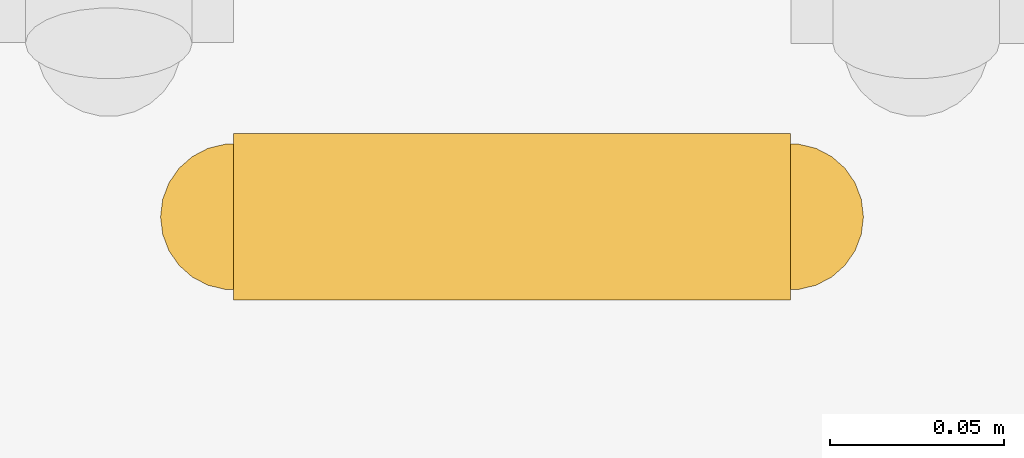
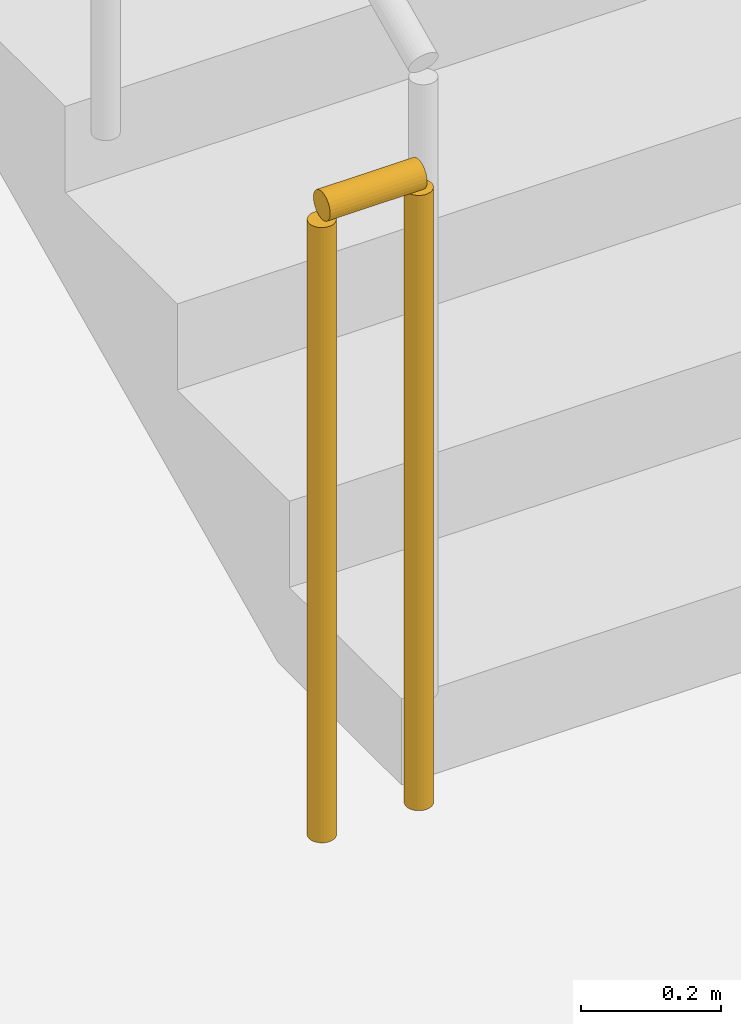
# One storey, part 126 of 137: 1 railing.
"""IFC4 building model written with IfcOpenShell, lengths in metres."""

import ifcopenshell
import ifcopenshell.guid

model = None  # the IFC model being written
_history = None  # IfcOwnerHistory: only IFC2X3 demands one
_inside = {}  # id of a spatial element -> (the spatial element, [elements in it])
_under = {}  # id of a project, library or spatial element -> (it, [spatial elements below it])
_declared = {}  # id of a project -> (the project, [libraries it declares])
_typed = {}  # id of a type object -> (the type object, [elements of that type])
_made_of = {}  # id of a material, layer set ... -> (it, [elements and type objects made of it])


def new_model(schema):
    """Start an empty IFC model of exactly this schema.

    Asked for "IFC4X3", IfcOpenShell would pick the latest addendum, in which some entities
    have other attributes; the version numbers below select the first issue.
    IFC2X3 requires an IfcOwnerHistory on every rooted entity: one is made here for all.
    """
    global model, _history
    if schema == "IFC4X3":
        model = ifcopenshell.file(schema_version=(4, 3, 0, 0))
    else:
        model = ifcopenshell.file(schema=schema)
    _inside.clear()
    _under.clear()
    _declared.clear()
    _typed.clear()
    _made_of.clear()
    _history = None
    if model.schema == "IFC2X3":
        org = make("IfcOrganization", Name="unknown")
        user = make(
            "IfcPersonAndOrganization",
            ThePerson=make("IfcPerson", FamilyName="unknown"),
            TheOrganization=org,
        )
        app = make(
            "IfcApplication",
            ApplicationDeveloper=org,
            Version="unknown",
            ApplicationFullName="unknown",
            ApplicationIdentifier="unknown",
        )
        _history = make(
            "IfcOwnerHistory",
            OwningUser=user,
            OwningApplication=app,
            ChangeAction="ADDED",
            CreationDate=0,
        )
    return model


def make(cls, **values):
    """One entity of the class cls with the attributes given. An attribute that is None is left unset."""
    return model.create_entity(
        cls, **{name: value for name, value in values.items() if value is not None}
    )


def rooted(cls, **values):
    """An entity with a GlobalId (a new one), such as an element, a storey or a relation."""
    return make(cls, GlobalId=ifcopenshell.guid.new(), OwnerHistory=_history, **values)


def si_unit(unit_type, name, prefix=None):
    """IfcSIUnit, for example si_unit("LENGTHUNIT", "METRE", prefix="MILLI")."""
    return make("IfcSIUnit", UnitType=unit_type, Prefix=prefix, Name=name)


def assignment(units):
    """IfcUnitAssignment: the units of a project."""
    return None if units is None else make("IfcUnitAssignment", Units=units)


def point(xyz):
    """IfcCartesianPoint."""
    return None if xyz is None else make("IfcCartesianPoint", Coordinates=xyz)


def direction(xyz):
    """IfcDirection."""
    return None if xyz is None else make("IfcDirection", DirectionRatios=xyz)


def frame(location, z_axis=None, x_axis=None):
    """IfcAxis2Placement3D, a coordinate frame: its origin and axes. An axis left out is left unset."""
    return make(
        "IfcAxis2Placement3D",
        Location=point(location),
        Axis=direction(z_axis),
        RefDirection=direction(x_axis),
    )


def frame_2d(location, x_axis=None):
    """IfcAxis2Placement2D, a coordinate frame in the plane: its origin and x axis."""
    return make(
        "IfcAxis2Placement2D", Location=point(location), RefDirection=direction(x_axis)
    )


def origin():
    """The frame at (0, 0, 0) with its axes left unset."""
    return frame((0.0, 0.0, 0.0))


def origin_2d():
    """The frame at (0, 0) in the plane with its x axis left unset."""
    return frame_2d((0.0, 0.0))


def place(relative_to, where):
    """IfcLocalPlacement: puts the frame where relative to a parent placement (None: the world)."""
    return make(
        "IfcLocalPlacement", PlacementRelTo=relative_to, RelativePlacement=where
    )


def context(
    kind, dimensions, precision=None, world=None, true_north=None, identifier=None
):
    """IfcGeometricRepresentationContext, for example the 3D "Model" context."""
    return make(
        "IfcGeometricRepresentationContext",
        ContextIdentifier=identifier,
        ContextType=kind,
        CoordinateSpaceDimension=dimensions,
        Precision=precision,
        WorldCoordinateSystem=world,
        TrueNorth=true_north,
    )


def subcontext(parent, identifier, kind, view, scale=None):
    """IfcGeometricRepresentationSubContext, for example "Body" below "Model"."""
    return make(
        "IfcGeometricRepresentationSubContext",
        ContextIdentifier=identifier,
        ContextType=kind,
        ParentContext=parent,
        TargetScale=scale,
        TargetView=view,
    )


def project(units=None, contexts=None):
    """IfcProject with its units and contexts."""
    return rooted(
        "IfcProject",
        Name="project",
        RepresentationContexts=contexts,
        UnitsInContext=assignment(units),
    )


def spatial(cls, under=None, at=None, **own):
    """A site, building, storey or space (cls), placed at a placement, below another one or the project."""
    s = rooted(cls, ObjectPlacement=at, **own)
    if under is not None:
        _under.setdefault(under.id(), (under, []))[1].append(s)
    return s


def profile(cls, at=None, kind="AREA", **sizes):
    """A parametric profile (cls). Its sizes go by their IFC names, for example OverallWidth=200.0."""
    return make(cls, ProfileType=kind, Position=at, **sizes)


def circle(**sizes):
    """IfcCircleProfileDef."""
    return profile("IfcCircleProfileDef", **sizes)


def extrude(swept, where, along, depth):
    """IfcExtrudedAreaSolid: the profile swept, set in the frame where, extruded along a direction by depth."""
    return make(
        "IfcExtrudedAreaSolid",
        SweptArea=swept,
        Position=where,
        ExtrudedDirection=direction(along),
        Depth=depth,
    )


def shape(context_of_items, identifier, shape_type, items):
    """IfcShapeRepresentation: the items that make up one representation, for example the "Body"."""
    return make(
        "IfcShapeRepresentation",
        ContextOfItems=context_of_items,
        RepresentationIdentifier=identifier,
        RepresentationType=shape_type,
        Items=items,
    )


def material(Name=None, Category=None):
    """IfcMaterial."""
    return make("IfcMaterial", Name=Name, Category=Category)


def layer(
    of_material, thickness, ventilated=None, Name=None, Category=None, Priority=None
):
    """IfcMaterialLayer: one layer of a wall or slab, of a material (None: an air gap)."""
    return make(
        "IfcMaterialLayer",
        Material=of_material,
        LayerThickness=thickness,
        IsVentilated=ventilated,
        Name=Name,
        Category=Category,
        Priority=Priority,
    )


def layer_set(layers, Name=None):
    """IfcMaterialLayerSet."""
    return make("IfcMaterialLayerSet", MaterialLayers=layers, LayerSetName=Name)


def made_of(thing, what):
    """Note that an element or type object is made of a material, layer set ...; save() writes the relation."""
    if what is not None:
        _made_of.setdefault(what.id(), (what, []))[1].append(thing)
    return thing


def type_object(cls, material=None, **own):
    """A type object (cls), such as IfcWallType, which elements share."""
    return made_of(rooted(cls, **own), material)


def element(
    cls,
    number,
    at=None,
    inside=None,
    cuts=None,
    type_object=None,
    material=None,
    context=None,
    identifier="Body",
    shape_type=None,
    held_by="IfcProductDefinitionShape",
    body=None,
    shapes=None,
    **own,
):
    """One element of the class cls, such as IfcWall. Its Tag is "e" and its number.

    at: its placement. inside: the storey or other place that contains it. cuts: it is an
    opening in that element (IfcRelVoidsElement). A single representation is given by context,
    identifier, shape_type and body (its items); several are given by shapes. held_by: the class
    of the entity that holds the representations. save() writes the other relations.
    """
    e = rooted(cls, Tag="e%d" % number, ObjectPlacement=at, **own)
    if body is not None:
        shapes = [shape(context, identifier, shape_type, body)]
    if shapes is not None:
        e.Representation = make(held_by, Representations=shapes)
    if inside is not None:
        _inside.setdefault(inside.id(), (inside, []))[1].append(e)
    if cuts is not None:
        rooted(
            "IfcRelVoidsElement", RelatingBuildingElement=cuts, RelatedOpeningElement=e
        )
    if type_object is not None:
        _typed.setdefault(type_object.id(), (type_object, []))[1].append(e)
    return made_of(e, material)


def aggregate(whole, parts):
    """IfcRelAggregates: a whole, such as a stair, and the parts it consists of."""
    return rooted("IfcRelAggregates", RelatingObject=whole, RelatedObjects=parts)


def save(model, path):
    """Write the relations noted so far, then the file.

    IfcRelAggregates (storeys below a building ...), IfcRelContainedInSpatialStructure (elements
    in a storey), IfcRelDefinesByType, IfcRelAssociatesMaterial and IfcRelDeclares: one each for
    every whole, place, type object, material and project.
    """
    for whole, parts in _under.values():
        aggregate(whole, parts)
    for where, things in _inside.values():
        rooted(
            "IfcRelContainedInSpatialStructure",
            RelatedElements=things,
            RelatingStructure=where,
        )
    for kind, things in _typed.values():
        rooted("IfcRelDefinesByType", RelatedObjects=things, RelatingType=kind)
    for what, things in _made_of.values():
        rooted("IfcRelAssociatesMaterial", RelatedObjects=things, RelatingMaterial=what)
    for by, libraries in _declared.values():
        rooted("IfcRelDeclares", RelatingContext=by, RelatedDefinitions=libraries)
    model.write(path)


model = new_model("IFC4")

# Units and contexts
model_context = context("Model", 3, precision=1e-05, world=origin(), true_north=direction((0.0, 1.0)))
body_context = subcontext(model_context, "Body", "Model", "MODEL_VIEW")
ifc_project = project(units=[si_unit("LENGTHUNIT", "METRE"), si_unit("AREAUNIT", "SQUARE_METRE"), si_unit("VOLUMEUNIT", "CUBIC_METRE"), si_unit("PLANEANGLEUNIT", "RADIAN"), si_unit("MASSUNIT", "GRAM", prefix="KILO")], contexts=[model_context])

# Site, building, storey
site_placement = place(None, origin())
site = spatial("IfcSite", under=ifc_project, at=site_placement, CompositionType="ELEMENT")
building_placement = place(site_placement, origin())
building = spatial("IfcBuilding", under=site, at=building_placement, Name="Celestram Park Convention Centre", CompositionType="ELEMENT")
storey_placement = place(building_placement, origin())
storey = spatial("IfcBuildingStorey", under=building, at=storey_placement, Name="L00", CompositionType="ELEMENT", Elevation=0.0)

# Railing
ifc_material = material(Name="Stainless Steel AISI 316L & Laminated Glass", Category="steel")
ifc_layer = layer(ifc_material, 0.06005859375)
ifc_layer_set = layer_set([ifc_layer], Name="Stainless Steel AISI 316L & Laminated Glass")
railing_type = type_object("IfcRailingType", Name="ARC-RL-GRD1120", PredefinedType="GUARDRAIL", material=ifc_layer_set)
railing_placement = place(storey_placement, frame((212.39990234375, 126.35009765625, 0.0)))
element("IfcRailing", 1, at=railing_placement, inside=storey, type_object=railing_type, Name="L00 ST-08 stair guard 4", PredefinedType="GUARDRAIL", context=body_context, shape_type="SweptSolid", body=[
    extrude(circle(Radius=0.02392578125, at=origin_2d()), frame((0.0, 0.0, 1.09619140625), z_axis=(-1.0, 0.0, 0.0), x_axis=(0.0, -1.0, 0.0)), (0.0, 0.0, 1.0), 0.159912109375),
    extrude(circle(Radius=0.02099609375, at=origin_2d()), origin(), (0.0, 0.0, 1.0), 1.072021484375),
    extrude(circle(Radius=0.02099609375, at=origin_2d()), frame((-0.159912109375, 0.0, 0.0)), (0.0, 0.0, 1.0), 1.072021484375),
])

save(model, "model.ifc")
